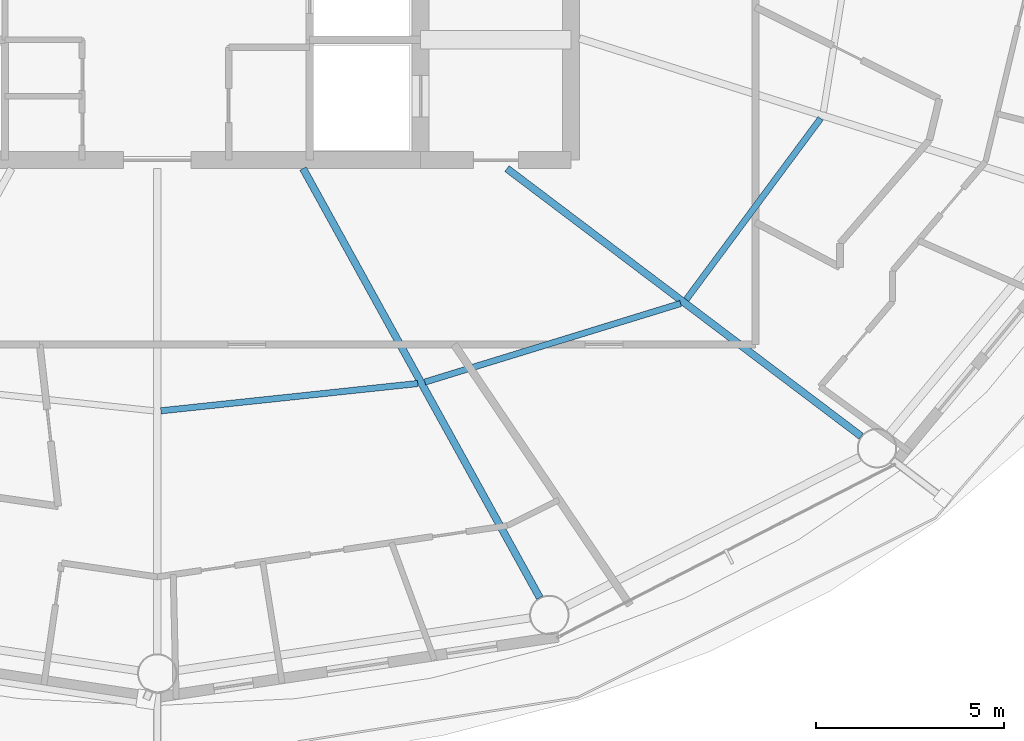
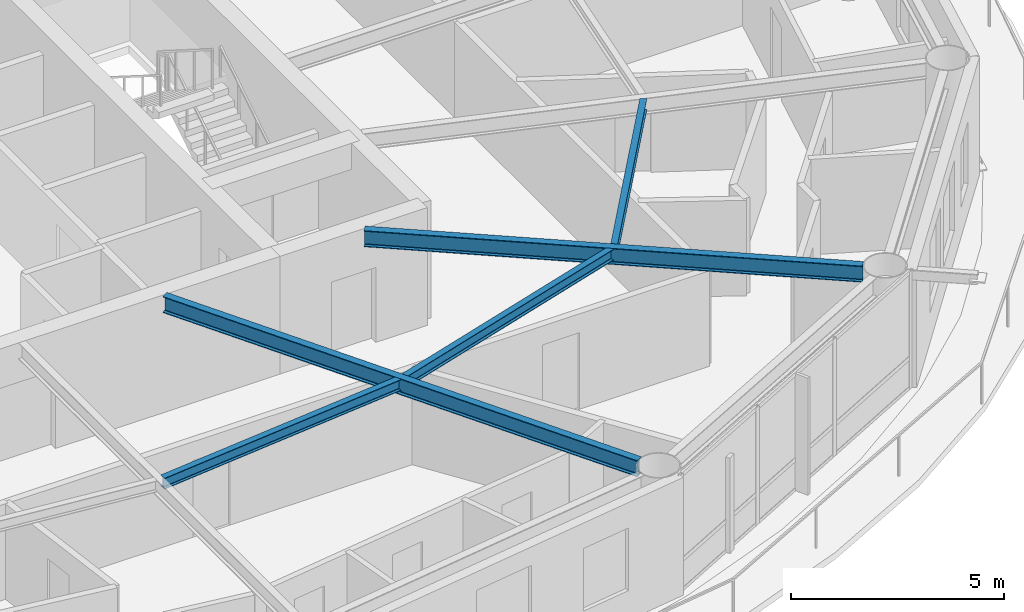
# One storey, part 6 of 29: 5 beams.
"""IFC4 building model written with IfcOpenShell, lengths in metres."""

from ifc_helpers import new_model, si_unit, direction, frame, origin, origin_2d, place, context, subcontext, project, spatial, i_section, extrude, material, material_profile, profile_set, type_object, element, save


model = new_model("IFC4")

# Units and contexts
model_context = context("Model", 3, precision=1e-05, world=origin(), true_north=direction((0.0, 1.0)))
body_context = subcontext(model_context, "Body", "Model", "MODEL_VIEW")
ifc_project = project(units=[si_unit("LENGTHUNIT", "METRE"), si_unit("AREAUNIT", "SQUARE_METRE"), si_unit("VOLUMEUNIT", "CUBIC_METRE"), si_unit("PLANEANGLEUNIT", "RADIAN"), si_unit("MASSUNIT", "GRAM", prefix="KILO")], contexts=[model_context])

# Site, building, storey
site_placement = place(None, origin())
site = spatial("IfcSite", under=ifc_project, at=site_placement, CompositionType="ELEMENT")
building_placement = place(site_placement, origin())
building = spatial("IfcBuilding", under=site, at=building_placement, Name="Sarneth Arch Tower", CompositionType="ELEMENT")
storey_placement = place(building_placement, frame((0.0, 0.0, 175.800048828125)))
storey = spatial("IfcBuildingStorey", under=building, at=storey_placement, Name="L44", CompositionType="ELEMENT", Elevation=175.800048828125)

# Beams
ifc_material_1 = material(Name="Steel S355", Category="steel")
ifc_material_profile_1 = material_profile(ifc_material_1, i_section(OverallWidth=0.1669921875, OverallDepth=0.31689453125, WebThickness=0.007568359375, FlangeThickness=0.01318359375, FilletRadius=0.012939453125, at=origin_2d()), Name="W310x52")
ifc_profile_set_1 = profile_set([ifc_material_profile_1], Name="Steel S355")
beam_type_1 = type_object("IfcBeamType", Name="BM-JOIST-310B", PredefinedType="JOIST", material=ifc_profile_set_1)
beam_1_placement = place(storey_placement, frame((48.095947265625, 28.53515625, 3.221435546875), z_axis=(0.994407831942, 0.105608066799, 0.0), x_axis=(-0.105608066799, 0.994407831942, 0.0)))
element("IfcBeam", 1, at=beam_1_placement, inside=storey, type_object=beam_type_1, Name="L44 Secondary floor joist 13", PredefinedType="JOIST", context=body_context, shape_type="SweptSolid", body=[
    extrude(i_section(OverallWidth=0.1669921875, OverallDepth=0.31689453125, WebThickness=0.007568359375, FlangeThickness=0.01318359375, FilletRadius=0.012939453125, at=origin_2d()), origin(), (0.0, 0.0, 1.0), 6.8681640625),
])
beam_2_placement = place(storey_placement, frame((55.114013671875, 29.299072265625, 3.221435546875), z_axis=(0.955929549608, 0.293596144707, 0.0), x_axis=(-0.293596144707, 0.955929549608, 0.0)))
element("IfcBeam", 2, at=beam_2_placement, inside=storey, type_object=beam_type_1, Name="L44 Secondary floor joist 14", PredefinedType="JOIST", context=body_context, shape_type="SweptSolid", body=[
    extrude(i_section(OverallWidth=0.1669921875, OverallDepth=0.31689453125, WebThickness=0.007568359375, FlangeThickness=0.01318359375, FilletRadius=0.012939453125, at=origin_2d()), origin(), (0.0, 0.0, 1.0), 7.1123046875),
])
beam_3_placement = place(storey_placement, frame((62.062744140625, 31.4931640625, 3.221435546875), z_axis=(0.595933334016, 0.803033910497, 0.0), x_axis=(-0.803033910497, 0.595933334016, 0.0)))
element("IfcBeam", 3, at=beam_3_placement, inside=storey, type_object=beam_type_1, Name="L44 Secondary floor joist 15", PredefinedType="JOIST", context=body_context, shape_type="SweptSolid", body=[
    extrude(i_section(OverallWidth=0.1669921875, OverallDepth=0.31689453125, WebThickness=0.007568359375, FlangeThickness=0.01318359375, FilletRadius=0.012939453125, at=origin_2d()), origin(), (0.0, 0.0, 1.0), 5.99560546875),
])
ifc_material_2 = material(Name="Steel S355", Category="steel")
ifc_material_profile_2 = material_profile(ifc_material_2, i_section(OverallWidth=0.193115234375, OverallDepth=0.466064453125, WebThickness=0.011474609375, FlangeThickness=0.01904296875, FilletRadius=0.01806640625, at=origin_2d()), Name="W460x97")
ifc_profile_set_2 = profile_set([ifc_material_profile_2], Name="Steel S355")
beam_type_2 = type_object("IfcBeamType", Name="BM-RAD-460C", PredefinedType="BEAM", material=ifc_profile_set_2)
beam_4_placement = place(storey_placement, frame((51.875, 34.97509765625, 3.14697265625), z_axis=(0.483004525121, -0.87561785541, 0.0), x_axis=(0.87561785541, 0.483004525121, 0.0)))
element("IfcBeam", 4, at=beam_4_placement, inside=storey, type_object=beam_type_2, Name="L44 Radial floor girder 14", PredefinedType="BEAM", context=body_context, shape_type="SweptSolid", body=[
    extrude(i_section(OverallWidth=0.193115234375, OverallDepth=0.466064453125, WebThickness=0.011474609375, FlangeThickness=0.01904296875, FilletRadius=0.01806640625, at=origin_2d()), origin(), (0.0, 0.0, 1.0), 13.029296875),
])
beam_5_placement = place(storey_placement, frame((57.29541015625, 34.97509765625, 3.14697265625), z_axis=(0.797786205076, -0.602940437349, 0.0), x_axis=(0.602940437349, 0.797786205076, 0.0)))
element("IfcBeam", 5, at=beam_5_placement, inside=storey, type_object=beam_type_2, Name="L44 Radial floor girder 15", PredefinedType="BEAM", context=body_context, shape_type="SweptSolid", body=[
    extrude(i_section(OverallWidth=0.193115234375, OverallDepth=0.466064453125, WebThickness=0.011474609375, FlangeThickness=0.01904296875, FilletRadius=0.01806640625, at=origin_2d()), origin(), (0.0, 0.0, 1.0), 11.806884765625),
])

save(model, "model.ifc")
